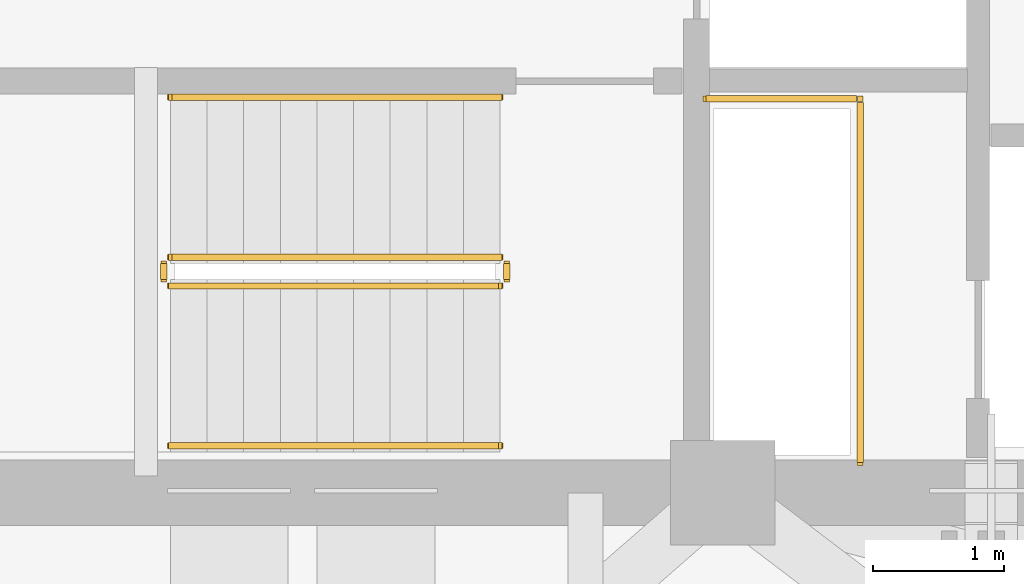
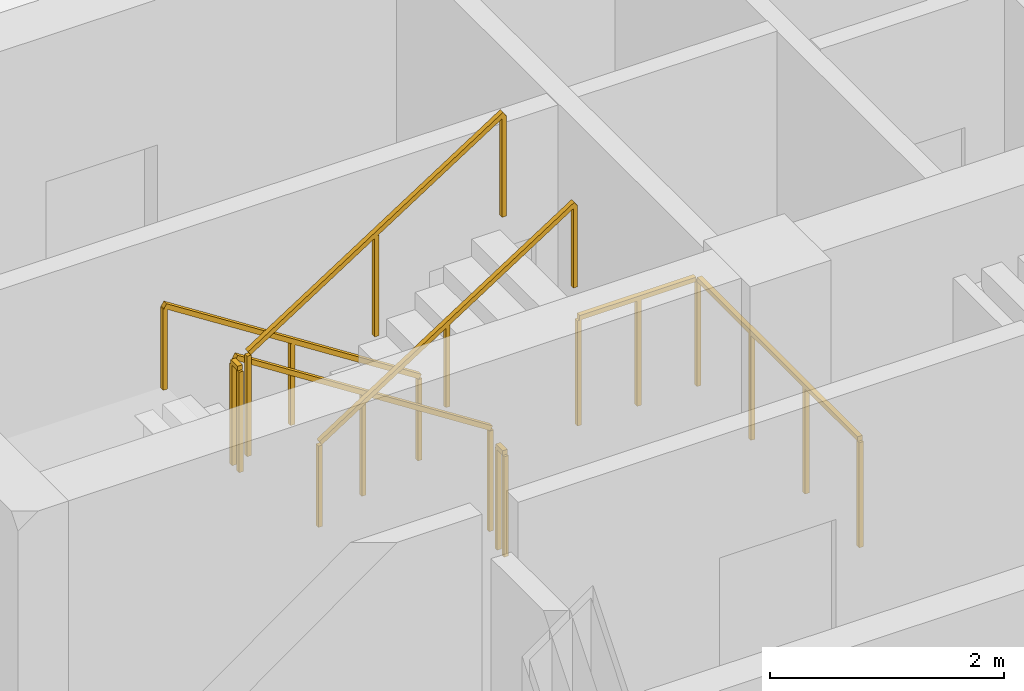
# One storey, part 11 of 14: 7 railings.
"""IFC4 building model written with IfcOpenShell, lengths in metres."""

from ifc_helpers import new_model, si_unit, direction, frame, origin, origin_2d, place, context, subcontext, project, spatial, rectangle, extrude, material, type_object, element, save


model = new_model("IFC4")

# Units and contexts
model_context = context("Model", 3, precision=1e-05, world=origin(), true_north=direction((0.0, 1.0)))
body_context = subcontext(model_context, "Body", "Model", "MODEL_VIEW")
ifc_project = project(units=[si_unit("LENGTHUNIT", "METRE"), si_unit("AREAUNIT", "SQUARE_METRE"), si_unit("VOLUMEUNIT", "CUBIC_METRE"), si_unit("PLANEANGLEUNIT", "RADIAN"), si_unit("MASSUNIT", "GRAM", prefix="KILO")], contexts=[model_context])

# Site, building, storey
site_placement = place(None, origin())
site = spatial("IfcSite", under=ifc_project, at=site_placement, CompositionType="ELEMENT")
building_placement = place(site_placement, origin())
building = spatial("IfcBuilding", under=site, at=building_placement, Name="Qhalaya Broadcast Tower", CompositionType="ELEMENT")
storey_placement = place(building_placement, frame((0.0, 0.0, 144.60009765625)))
storey = spatial("IfcBuildingStorey", under=building, at=storey_placement, Name="L42", CompositionType="ELEMENT", Elevation=144.60009765625)

# Railings
ifc_material = material(Name="Powder-Coated Galvanised Steel", Category="steel")
railing_type_1 = type_object("IfcRailingType", Name="Stair Wall Handrail 900", PredefinedType="HANDRAIL", material=ifc_material)
railing_1_placement = place(storey_placement, frame((-3.75, -5.72998046875, 0.179931640625)))
element("IfcRailing", 1, at=railing_1_placement, inside=storey, type_object=railing_type_1, Name="L42 ST-2 Stair Handrail 1", PredefinedType="HANDRAIL", context=body_context, shape_type="SweptSolid", body=[
    extrude(rectangle(XDim=0.048095703125, YDim=0.048095703125, at=origin_2d()), frame((0.0, 0.0, 0.8759765625), z_axis=(-0.841199657755, 0.0, 0.540724639528), x_axis=(0.0, -1.0, 0.0)), (0.0, 0.0, 1.0), 2.995849609375),
    extrude(rectangle(XDim=0.0419921875, YDim=0.0419921875, at=origin_2d()), origin(), (0.0, 0.0, 1.0), 0.849853515625),
    extrude(rectangle(XDim=0.0419921875, YDim=0.0419921875, at=origin_2d()), frame((-1.260009765625, 0.0, 0.81005859375)), (0.0, 0.0, 1.0), 0.849853515625),
    extrude(rectangle(XDim=0.0419921875, YDim=0.0419921875, at=origin_2d()), frame((-2.52001953125, 0.0, 1.619873046875)), (0.0, 0.0, 1.0), 0.849853515625),
])
railing_2_placement = place(storey_placement, frame((-6.27001953125, -8.389892578125, 1.97998046875)))
element("IfcRailing", 2, at=railing_2_placement, inside=storey, type_object=railing_type_1, Name="L42 ST-2 Stair Handrail 2", PredefinedType="HANDRAIL", context=body_context, shape_type="SweptSolid", body=[
    extrude(rectangle(XDim=0.048095703125, YDim=0.048095703125, at=origin_2d()), frame((0.0, 0.0, 0.8759765625), z_axis=(0.841199657755, 0.0, 0.540724639528), x_axis=(0.0, 1.0, 0.0)), (0.0, 0.0, 1.0), 2.995849609375),
    extrude(rectangle(XDim=0.0419921875, YDim=0.0419921875, at=origin_2d()), origin(), (0.0, 0.0, 1.0), 0.849853515625),
    extrude(rectangle(XDim=0.0419921875, YDim=0.0419921875, at=origin_2d()), frame((1.260009765625, 0.0, 0.81005859375)), (0.0, 0.0, 1.0), 0.849853515625),
    extrude(rectangle(XDim=0.0419921875, YDim=0.0419921875, at=origin_2d()), frame((2.52001953125, 0.0, 1.619873046875)), (0.0, 0.0, 1.0), 0.849853515625),
])
railing_type_2 = type_object("IfcRailingType", Name="Stair Well & Landing Guardrail 1100", PredefinedType="GUARDRAIL", material=ifc_material)
railing_3_placement = place(storey_placement, frame((-1.0, -8.52001953125, 0.0)))
element("IfcRailing", 3, at=railing_3_placement, inside=storey, type_object=railing_type_2, Name="L42 Service Riser Opening Safety Guard SRSR", PredefinedType="GUARDRAIL", context=body_context, shape_type="SweptSolid", body=[
    extrude(rectangle(XDim=0.048095703125, YDim=0.048095703125, at=origin_2d()), frame((0.0, 0.0, 1.1259765625), z_axis=(0.0, 1.0, 0.0), x_axis=(-1.0, 0.0, 0.0)), (0.0, 0.0, 1.0), 2.751220703125),
    extrude(rectangle(XDim=0.048095703125, YDim=0.048095703125, at=origin_2d()), frame((-0.02880859375, 2.780029296875, 1.1259765625), z_axis=(-1.0, 0.0, 0.0), x_axis=(0.0, -1.0, 0.0)), (0.0, 0.0, 1.0), 1.151123046875),
    extrude(rectangle(XDim=0.0419921875, YDim=0.0419921875, at=origin_2d()), origin(), (0.0, 0.0, 1.0), 1.099853515625),
    extrude(rectangle(XDim=0.0419921875, YDim=0.0419921875, at=origin_2d()), frame((0.0, 0.9267578125, 0.0)), (0.0, 0.0, 1.0), 1.099853515625),
    extrude(rectangle(XDim=0.0419921875, YDim=0.0419921875, at=origin_2d()), frame((0.0, 1.853271484375, 0.0)), (0.0, 0.0, 1.0), 1.099853515625),
    extrude(rectangle(XDim=0.0419921875, YDim=0.0419921875, at=origin_2d()), frame((0.0, 2.780029296875, 0.0)), (0.0, 0.0, 1.0), 1.099853515625),
    extrude(rectangle(XDim=0.0419921875, YDim=0.0419921875, at=origin_2d()), frame((-0.58984375, 2.780029296875, 0.0)), (0.0, 0.0, 1.0), 1.099853515625),
    extrude(rectangle(XDim=0.0419921875, YDim=0.0419921875, at=origin_2d()), frame((-1.179931640625, 2.780029296875, 0.0)), (0.0, 0.0, 1.0), 1.099853515625),
])
railing_4_placement = place(storey_placement, frame((-3.75, -6.949951171875, 0.179931640625)))
element("IfcRailing", 4, at=railing_4_placement, inside=storey, type_object=railing_type_2, Name="L42 ST-2 Stair Guard 1", PredefinedType="GUARDRAIL", context=body_context, shape_type="SweptSolid", body=[
    extrude(rectangle(XDim=0.048095703125, YDim=0.048095703125, at=origin_2d()), frame((0.0, 0.0, 1.076171875), z_axis=(-0.841199657755, 0.0, 0.540724639528), x_axis=(0.0, -1.0, 0.0)), (0.0, 0.0, 1.0), 2.995849609375),
    extrude(rectangle(XDim=0.0419921875, YDim=0.0419921875, at=origin_2d()), origin(), (0.0, 0.0, 1.0), 1.050048828125),
    extrude(rectangle(XDim=0.0419921875, YDim=0.0419921875, at=origin_2d()), frame((-1.260009765625, 0.0, 0.81005859375)), (0.0, 0.0, 1.0), 1.050048828125),
    extrude(rectangle(XDim=0.0419921875, YDim=0.0419921875, at=origin_2d()), frame((-2.52001953125, 0.0, 1.619873046875)), (0.0, 0.0, 1.0), 1.050048828125),
])
railing_5_placement = place(storey_placement, frame((-6.320068359375, -7.0, 1.7998046875)))
element("IfcRailing", 5, at=railing_5_placement, inside=storey, type_object=railing_type_2, Name="L42 ST-2 Stair Guard 2", PredefinedType="GUARDRAIL", context=body_context, shape_type="SweptSolid", body=[
    extrude(rectangle(XDim=0.048095703125, YDim=0.048095703125, at=origin_2d()), frame((0.0, 0.0, 1.076171875), z_axis=(0.0, -1.0, 0.0), x_axis=(1.0, 0.0, 0.0)), (0.0, 0.0, 1.0), 0.1201171875),
    extrude(rectangle(XDim=0.0419921875, YDim=0.0419921875, at=origin_2d()), origin(), (0.0, 0.0, 1.0), 1.050048828125),
    extrude(rectangle(XDim=0.0419921875, YDim=0.0419921875, at=origin_2d()), frame((0.0, -0.1201171875, 0.0)), (0.0, 0.0, 1.0), 1.050048828125),
])
railing_6_placement = place(storey_placement, frame((-6.27001953125, -7.169921875, 1.97998046875)))
element("IfcRailing", 6, at=railing_6_placement, inside=storey, type_object=railing_type_2, Name="L42 ST-2 Stair Guard 3", PredefinedType="GUARDRAIL", context=body_context, shape_type="SweptSolid", body=[
    extrude(rectangle(XDim=0.048095703125, YDim=0.048095703125, at=origin_2d()), frame((0.0, 0.0, 1.076171875), z_axis=(0.841199657755, 0.0, 0.540724639528), x_axis=(0.0, 1.0, 0.0)), (0.0, 0.0, 1.0), 2.995849609375),
    extrude(rectangle(XDim=0.0419921875, YDim=0.0419921875, at=origin_2d()), origin(), (0.0, 0.0, 1.0), 1.050048828125),
    extrude(rectangle(XDim=0.0419921875, YDim=0.0419921875, at=origin_2d()), frame((1.260009765625, 0.0, 0.81005859375)), (0.0, 0.0, 1.0), 1.050048828125),
    extrude(rectangle(XDim=0.0419921875, YDim=0.0419921875, at=origin_2d()), frame((2.52001953125, 0.0, 1.619873046875)), (0.0, 0.0, 1.0), 1.050048828125),
])
railing_7_placement = place(storey_placement, frame((-3.699951171875, -7.0, 0.0)))
element("IfcRailing", 7, at=railing_7_placement, inside=storey, type_object=railing_type_2, Name="L42 ST-2 Stair Guard 4", PredefinedType="GUARDRAIL", context=body_context, shape_type="SweptSolid", body=[
    extrude(rectangle(XDim=0.048095703125, YDim=0.048095703125, at=origin_2d()), frame((0.0, 0.0, 1.076171875), z_axis=(0.0, -1.0, 0.0), x_axis=(1.0, 0.0, 0.0)), (0.0, 0.0, 1.0), 0.1201171875),
    extrude(rectangle(XDim=0.0419921875, YDim=0.0419921875, at=origin_2d()), origin(), (0.0, 0.0, 1.0), 1.050048828125),
    extrude(rectangle(XDim=0.0419921875, YDim=0.0419921875, at=origin_2d()), frame((0.0, -0.1201171875, 0.0)), (0.0, 0.0, 1.0), 1.050048828125),
])

save(model, "model.ifc")
